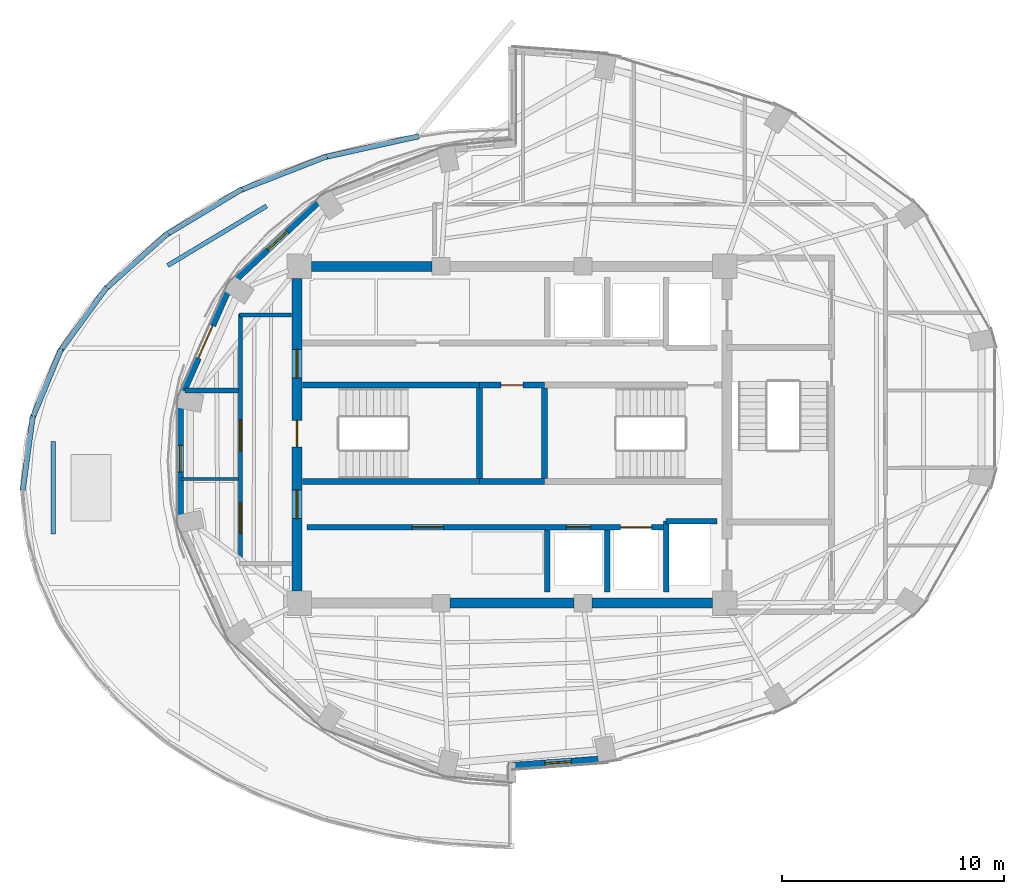
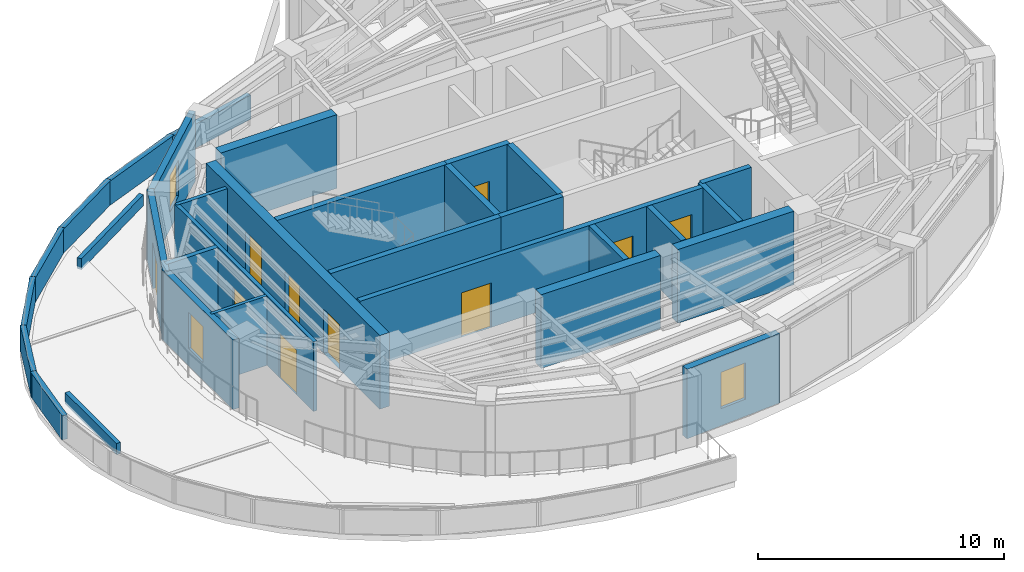
# One storey, part 9 of 15: 32 walls, 10 doors, 3 windows, 13 openings.
"""IFC4 building model written with IfcOpenShell, lengths in metres."""

import ifcopenshell
import ifcopenshell.guid

model = None  # the IFC model being written
_history = None  # IfcOwnerHistory: only IFC2X3 demands one
_inside = {}  # id of a spatial element -> (the spatial element, [elements in it])
_under = {}  # id of a project, library or spatial element -> (it, [spatial elements below it])
_declared = {}  # id of a project -> (the project, [libraries it declares])
_typed = {}  # id of a type object -> (the type object, [elements of that type])
_made_of = {}  # id of a material, layer set ... -> (it, [elements and type objects made of it])


def new_model(schema):
    """Start an empty IFC model of exactly this schema.

    Asked for "IFC4X3", IfcOpenShell would pick the latest addendum, in which some entities
    have other attributes; the version numbers below select the first issue.
    IFC2X3 requires an IfcOwnerHistory on every rooted entity: one is made here for all.
    """
    global model, _history
    if schema == "IFC4X3":
        model = ifcopenshell.file(schema_version=(4, 3, 0, 0))
    else:
        model = ifcopenshell.file(schema=schema)
    _inside.clear()
    _under.clear()
    _declared.clear()
    _typed.clear()
    _made_of.clear()
    _history = None
    if model.schema == "IFC2X3":
        org = make("IfcOrganization", Name="unknown")
        user = make(
            "IfcPersonAndOrganization",
            ThePerson=make("IfcPerson", FamilyName="unknown"),
            TheOrganization=org,
        )
        app = make(
            "IfcApplication",
            ApplicationDeveloper=org,
            Version="unknown",
            ApplicationFullName="unknown",
            ApplicationIdentifier="unknown",
        )
        _history = make(
            "IfcOwnerHistory",
            OwningUser=user,
            OwningApplication=app,
            ChangeAction="ADDED",
            CreationDate=0,
        )
    return model


def make(cls, **values):
    """One entity of the class cls with the attributes given. An attribute that is None is left unset."""
    return model.create_entity(
        cls, **{name: value for name, value in values.items() if value is not None}
    )


def rooted(cls, **values):
    """An entity with a GlobalId (a new one), such as an element, a storey or a relation."""
    return make(cls, GlobalId=ifcopenshell.guid.new(), OwnerHistory=_history, **values)


def si_unit(unit_type, name, prefix=None):
    """IfcSIUnit, for example si_unit("LENGTHUNIT", "METRE", prefix="MILLI")."""
    return make("IfcSIUnit", UnitType=unit_type, Prefix=prefix, Name=name)


def assignment(units):
    """IfcUnitAssignment: the units of a project."""
    return None if units is None else make("IfcUnitAssignment", Units=units)


def point(xyz):
    """IfcCartesianPoint."""
    return None if xyz is None else make("IfcCartesianPoint", Coordinates=xyz)


def direction(xyz):
    """IfcDirection."""
    return None if xyz is None else make("IfcDirection", DirectionRatios=xyz)


def frame(location, z_axis=None, x_axis=None):
    """IfcAxis2Placement3D, a coordinate frame: its origin and axes. An axis left out is left unset."""
    return make(
        "IfcAxis2Placement3D",
        Location=point(location),
        Axis=direction(z_axis),
        RefDirection=direction(x_axis),
    )


def frame_2d(location, x_axis=None):
    """IfcAxis2Placement2D, a coordinate frame in the plane: its origin and x axis."""
    return make(
        "IfcAxis2Placement2D", Location=point(location), RefDirection=direction(x_axis)
    )


def origin():
    """The frame at (0, 0, 0) with its axes left unset."""
    return frame((0.0, 0.0, 0.0))


def place(relative_to, where):
    """IfcLocalPlacement: puts the frame where relative to a parent placement (None: the world)."""
    return make(
        "IfcLocalPlacement", PlacementRelTo=relative_to, RelativePlacement=where
    )


def context(
    kind, dimensions, precision=None, world=None, true_north=None, identifier=None
):
    """IfcGeometricRepresentationContext, for example the 3D "Model" context."""
    return make(
        "IfcGeometricRepresentationContext",
        ContextIdentifier=identifier,
        ContextType=kind,
        CoordinateSpaceDimension=dimensions,
        Precision=precision,
        WorldCoordinateSystem=world,
        TrueNorth=true_north,
    )


def subcontext(parent, identifier, kind, view, scale=None):
    """IfcGeometricRepresentationSubContext, for example "Body" below "Model"."""
    return make(
        "IfcGeometricRepresentationSubContext",
        ContextIdentifier=identifier,
        ContextType=kind,
        ParentContext=parent,
        TargetScale=scale,
        TargetView=view,
    )


def project(units=None, contexts=None):
    """IfcProject with its units and contexts."""
    return rooted(
        "IfcProject",
        Name="project",
        RepresentationContexts=contexts,
        UnitsInContext=assignment(units),
    )


def spatial(cls, under=None, at=None, **own):
    """A site, building, storey or space (cls), placed at a placement, below another one or the project."""
    s = rooted(cls, ObjectPlacement=at, **own)
    if under is not None:
        _under.setdefault(under.id(), (under, []))[1].append(s)
    return s


def profile(cls, at=None, kind="AREA", **sizes):
    """A parametric profile (cls). Its sizes go by their IFC names, for example OverallWidth=200.0."""
    return make(cls, ProfileType=kind, Position=at, **sizes)


def rectangle(**sizes):
    """IfcRectangleProfileDef."""
    return profile("IfcRectangleProfileDef", **sizes)


def extrude(swept, where, along, depth):
    """IfcExtrudedAreaSolid: the profile swept, set in the frame where, extruded along a direction by depth."""
    return make(
        "IfcExtrudedAreaSolid",
        SweptArea=swept,
        Position=where,
        ExtrudedDirection=direction(along),
        Depth=depth,
    )


def shape(context_of_items, identifier, shape_type, items):
    """IfcShapeRepresentation: the items that make up one representation, for example the "Body"."""
    return make(
        "IfcShapeRepresentation",
        ContextOfItems=context_of_items,
        RepresentationIdentifier=identifier,
        RepresentationType=shape_type,
        Items=items,
    )


def material(Name=None, Category=None):
    """IfcMaterial."""
    return make("IfcMaterial", Name=Name, Category=Category)


def layer(
    of_material, thickness, ventilated=None, Name=None, Category=None, Priority=None
):
    """IfcMaterialLayer: one layer of a wall or slab, of a material (None: an air gap)."""
    return make(
        "IfcMaterialLayer",
        Material=of_material,
        LayerThickness=thickness,
        IsVentilated=ventilated,
        Name=Name,
        Category=Category,
        Priority=Priority,
    )


def layer_set(layers, Name=None):
    """IfcMaterialLayerSet."""
    return make("IfcMaterialLayerSet", MaterialLayers=layers, LayerSetName=Name)


def made_of(thing, what):
    """Note that an element or type object is made of a material, layer set ...; save() writes the relation."""
    if what is not None:
        _made_of.setdefault(what.id(), (what, []))[1].append(thing)
    return thing


def type_object(cls, material=None, **own):
    """A type object (cls), such as IfcWallType, which elements share."""
    return made_of(rooted(cls, **own), material)


def element(
    cls,
    number,
    at=None,
    inside=None,
    cuts=None,
    type_object=None,
    material=None,
    context=None,
    identifier="Body",
    shape_type=None,
    held_by="IfcProductDefinitionShape",
    body=None,
    shapes=None,
    **own,
):
    """One element of the class cls, such as IfcWall. Its Tag is "e" and its number.

    at: its placement. inside: the storey or other place that contains it. cuts: it is an
    opening in that element (IfcRelVoidsElement). A single representation is given by context,
    identifier, shape_type and body (its items); several are given by shapes. held_by: the class
    of the entity that holds the representations. save() writes the other relations.
    """
    e = rooted(cls, Tag="e%d" % number, ObjectPlacement=at, **own)
    if body is not None:
        shapes = [shape(context, identifier, shape_type, body)]
    if shapes is not None:
        e.Representation = make(held_by, Representations=shapes)
    if inside is not None:
        _inside.setdefault(inside.id(), (inside, []))[1].append(e)
    if cuts is not None:
        rooted(
            "IfcRelVoidsElement", RelatingBuildingElement=cuts, RelatedOpeningElement=e
        )
    if type_object is not None:
        _typed.setdefault(type_object.id(), (type_object, []))[1].append(e)
    return made_of(e, material)


def fill(opening, filler):
    """IfcRelFillsElement: the door or window that sits in an opening."""
    return rooted(
        "IfcRelFillsElement",
        RelatingOpeningElement=opening,
        RelatedBuildingElement=filler,
    )


def aggregate(whole, parts):
    """IfcRelAggregates: a whole, such as a stair, and the parts it consists of."""
    return rooted("IfcRelAggregates", RelatingObject=whole, RelatedObjects=parts)


def save(model, path):
    """Write the relations noted so far, then the file.

    IfcRelAggregates (storeys below a building ...), IfcRelContainedInSpatialStructure (elements
    in a storey), IfcRelDefinesByType, IfcRelAssociatesMaterial and IfcRelDeclares: one each for
    every whole, place, type object, material and project.
    """
    for whole, parts in _under.values():
        aggregate(whole, parts)
    for where, things in _inside.values():
        rooted(
            "IfcRelContainedInSpatialStructure",
            RelatedElements=things,
            RelatingStructure=where,
        )
    for kind, things in _typed.values():
        rooted("IfcRelDefinesByType", RelatedObjects=things, RelatingType=kind)
    for what, things in _made_of.values():
        rooted("IfcRelAssociatesMaterial", RelatedObjects=things, RelatingMaterial=what)
    for by, libraries in _declared.values():
        rooted("IfcRelDeclares", RelatingContext=by, RelatedDefinitions=libraries)
    model.write(path)


model = new_model("IFC4")

# Units and contexts
model_context = context("Model", 3, precision=1e-05, world=origin(), true_north=direction((0.0, 1.0)))
body_context = subcontext(model_context, "Body", "Model", "MODEL_VIEW")
ifc_project = project(units=[si_unit("LENGTHUNIT", "METRE"), si_unit("AREAUNIT", "SQUARE_METRE"), si_unit("VOLUMEUNIT", "CUBIC_METRE"), si_unit("PLANEANGLEUNIT", "RADIAN"), si_unit("MASSUNIT", "GRAM", prefix="KILO")], contexts=[model_context])

# Site, building, storey
site_placement = place(None, origin())
site = spatial("IfcSite", under=ifc_project, at=site_placement, CompositionType="ELEMENT")
building_placement = place(site_placement, origin())
building = spatial("IfcBuilding", under=site, at=building_placement, Name="Lazwardi Medical Tower", CompositionType="ELEMENT")
storey_placement = place(building_placement, frame((0.0, 0.0, 269.615966796875)))
storey = spatial("IfcBuildingStorey", under=building, at=storey_placement, Name="L70", CompositionType="ELEMENT", Elevation=269.615966796875)

# Wall, openings, doors
ifc_material_1 = material(Name="Fire-rated gypsum board on steel stud", Category="steel")
ifc_layer_1 = layer(ifc_material_1, 0.179931640625)
ifc_layer_set_1 = layer_set([ifc_layer_1], Name="Fire-rated gypsum board on steel stud")
wall_type_1 = type_object("IfcWallType", Name="WL-COR-180", PredefinedType="PARTITIONING", material=ifc_layer_set_1)
wall_1_placement = place(storey_placement, frame((23.75, 22.159912109375, 0.0), z_axis=(0.0, 0.0, 1.0), x_axis=(0.0, 1.0, 0.0)))
wall_1 = element("IfcWall", 1, at=wall_1_placement, inside=storey, type_object=wall_type_1, Name="L70 Corridor partition 8", PredefinedType="PARTITIONING", context=body_context, shape_type="SweptSolid", body=[
    extrude(rectangle(XDim=11.280029296875, YDim=0.179931640625, at=frame_2d((5.64013671875, 0.0))), origin(), (0.0, 0.0, 1.0), 3.447998046875),
])
opening_1_placement = place(wall_1_placement, frame((5.12255859375, 0.0, 0.0)))
opening_1 = element("IfcOpeningElement", 2, at=opening_1_placement, cuts=wall_1, Name="Opening D-L70-008", PredefinedType="OPENING", context=body_context, shape_type="SweptSolid", body=[
    extrude(rectangle(XDim=1.39990234375, YDim=2.199951171875, at=frame_2d((0.699951171875, 1.10009765625))), frame((0.0, 0.099853515625, 0.0), z_axis=(0.0, -1.0, 0.0), x_axis=(1.0, 0.0, 0.0)), (0.0, 0.0, 1.0), 0.199951171875),
])
opening_2_placement = place(wall_1_placement, frame((1.37890625, 0.0, 0.0)))
opening_2 = element("IfcOpeningElement", 3, at=opening_2_placement, cuts=wall_1, Name="Opening D-L70-009", PredefinedType="OPENING", context=body_context, shape_type="SweptSolid", body=[
    extrude(rectangle(XDim=1.39990234375, YDim=2.199951171875, at=frame_2d((0.699951171875, 1.10009765625))), frame((0.0, 0.099853515625, 0.0), z_axis=(0.0, -1.0, 0.0), x_axis=(1.0, 0.0, 0.0)), (0.0, 0.0, 1.0), 0.199951171875),
])
ifc_material_2 = material(Name="Anti-microbial laminate hospital leaf")
door_type_1 = type_object("IfcDoorType", Name="DR-BED-1400", OperationType="NOTDEFINED", PredefinedType="DOOR", material=ifc_material_2)
door_1_placement = place(opening_1_placement, origin())
door_1 = element("IfcDoor", 4, at=door_1_placement, inside=storey, type_object=door_type_1, Name="L70 Sky Garden Lounge Door 01", OperationType="SINGLE_SWING_RIGHT", OverallHeight=2.199951171875, OverallWidth=1.39990234375, PredefinedType="DOOR", context=body_context, shape_type="SweptSolid", body=[
    extrude(rectangle(XDim=1.39990234375, YDim=2.199951171875, at=frame_2d((0.699951171875, 1.10009765625))), frame((0.0, 0.02490234375, 0.0), z_axis=(0.0, -1.0, 0.0), x_axis=(1.0, 0.0, 0.0)), (0.0, 0.0, 1.0), 0.050048828125),
])
fill(opening_1, door_1)
door_2_placement = place(opening_2_placement, origin())
door_2 = element("IfcDoor", 5, at=door_2_placement, inside=storey, type_object=door_type_1, Name="L70 Sky Garden Lounge Door 02", OperationType="SINGLE_SWING_LEFT", OverallHeight=2.199951171875, OverallWidth=1.39990234375, PredefinedType="DOOR", context=body_context, shape_type="SweptSolid", body=[
    extrude(rectangle(XDim=1.39990234375, YDim=2.199951171875, at=frame_2d((0.699951171875, 1.10009765625))), frame((0.0, 0.02490234375, 0.0), z_axis=(0.0, -1.0, 0.0), x_axis=(1.0, 0.0, 0.0)), (0.0, 0.0, 1.0), 0.050048828125),
])
fill(opening_2, door_2)

# Wall
wall_2_placement = place(storey_placement, frame((23.7099609375, 33.39990234375, 0.0), z_axis=(0.0, 0.0, 1.0), x_axis=(1.0, 0.0, 0.0)))
element("IfcWall", 6, at=wall_2_placement, inside=storey, type_object=wall_type_1, Name="L70 Corridor partition 9", PredefinedType="PARTITIONING", context=body_context, shape_type="SweptSolid", body=[
    extrude(rectangle(XDim=2.35009765625, YDim=0.179931640625, at=frame_2d((1.175048828125, 0.0))), origin(), (0.0, 0.0, 1.0), 3.447998046875),
])

# Wall, openings, doors
ifc_material_3 = material(Name="Concrete C60/75", Category="concrete")
ifc_layer_2 = layer(ifc_material_3, 0.449951171875)
ifc_layer_set_2 = layer_set([ifc_layer_2], Name="Concrete C60/75")
wall_type_2 = type_object("IfcWallType", Name="WL-CORE-450", PredefinedType="SHEAR", material=ifc_layer_set_2)
wall_3_placement = place(storey_placement, frame((26.300048828125, 20.949951171875, 0.0), z_axis=(0.0, 0.0, 1.0), x_axis=(0.0, 1.0, 0.0)))
wall_3 = element("IfcWall", 7, at=wall_3_placement, inside=storey, type_object=wall_type_2, Name="Core wall CW-S4 west L70", PredefinedType="SHEAR", context=body_context, shape_type="SweptSolid", body=[
    extrude(rectangle(XDim=14.10009765625, YDim=0.449951171875, at=frame_2d((7.050048828125, 0.0))), origin(), (0.0, 0.0, 1.0), 3.64794921875),
])
opening_3_placement = place(wall_3_placement, frame((6.5, 0.0, 0.0)))
opening_3 = element("IfcOpeningElement", 8, at=opening_3_placement, cuts=wall_3, Name="Opening D-L70-017", PredefinedType="OPENING", context=body_context, shape_type="SweptSolid", body=[
    extrude(rectangle(XDim=1.199951171875, YDim=2.14990234375, at=frame_2d((0.60009765625, 1.074951171875))), frame((0.0, 0.23486328125, 0.0), z_axis=(0.0, -1.0, 0.0), x_axis=(1.0, 0.0, 0.0)), (0.0, 0.0, 1.0), 0.469970703125),
])
opening_4_placement = place(wall_3_placement, frame((9.60009765625, 0.0, 0.0)))
opening_4 = element("IfcOpeningElement", 9, at=opening_4_placement, cuts=wall_3, Name="Opening D-L70-006", PredefinedType="OPENING", context=body_context, shape_type="SweptSolid", body=[
    extrude(rectangle(XDim=1.300048828125, YDim=2.199951171875, at=frame_2d((0.64990234375, 1.10009765625))), frame((0.0, 0.23486328125, 0.0), z_axis=(0.0, -1.0, 0.0), x_axis=(1.0, 0.0, 0.0)), (0.0, 0.0, 1.0), 0.469970703125),
])
opening_5_placement = place(wall_3_placement, frame((3.260009765625, 0.0, 0.0)))
opening_5 = element("IfcOpeningElement", 10, at=opening_5_placement, cuts=wall_3, Name="Opening D-L70-007", PredefinedType="OPENING", context=body_context, shape_type="SweptSolid", body=[
    extrude(rectangle(XDim=1.300048828125, YDim=2.199951171875, at=frame_2d((0.64990234375, 1.10009765625))), frame((0.0, 0.23486328125, 0.0), z_axis=(0.0, -1.0, 0.0), x_axis=(1.0, 0.0, 0.0)), (0.0, 0.0, 1.0), 0.469970703125),
])
ifc_material_4 = material(Name="Fire-rated steel leaf and frame", Category="steel")
door_type_2 = type_object("IfcDoorType", Name="DR-FFL-1300", OperationType="NOTDEFINED", PredefinedType="DOOR", material=ifc_material_4)
door_3_placement = place(opening_4_placement, origin())
door_3 = element("IfcDoor", 11, at=door_3_placement, inside=storey, type_object=door_type_2, Name="L70 North Lift Lobby Door", OperationType="SINGLE_SWING_LEFT", OverallHeight=2.199951171875, OverallWidth=1.300048828125, PredefinedType="DOOR", context=body_context, shape_type="SweptSolid", body=[
    extrude(rectangle(XDim=1.300048828125, YDim=2.199951171875, at=frame_2d((0.64990234375, 1.10009765625))), frame((0.0, 0.02490234375, 0.0), z_axis=(0.0, -1.0, 0.0), x_axis=(1.0, 0.0, 0.0)), (0.0, 0.0, 1.0), 0.050048828125),
])
fill(opening_4, door_3)
door_4_placement = place(opening_5_placement, origin())
door_4 = element("IfcDoor", 12, at=door_4_placement, inside=storey, type_object=door_type_2, Name="L70 South Lift Lobby Door", OperationType="SINGLE_SWING_RIGHT", OverallHeight=2.199951171875, OverallWidth=1.300048828125, PredefinedType="DOOR", context=body_context, shape_type="SweptSolid", body=[
    extrude(rectangle(XDim=1.300048828125, YDim=2.199951171875, at=frame_2d((0.64990234375, 1.10009765625))), frame((0.0, 0.02490234375, 0.0), z_axis=(0.0, -1.0, 0.0), x_axis=(1.0, 0.0, 0.0)), (0.0, 0.0, 1.0), 0.050048828125),
])
fill(opening_5, door_4)
door_type_3 = type_object("IfcDoorType", Name="DR-STR-1200", OperationType="NOTDEFINED", PredefinedType="DOOR", material=ifc_material_4)
door_5_placement = place(opening_3_placement, origin())
door_5 = element("IfcDoor", 13, at=door_5_placement, inside=storey, type_object=door_type_3, Name="L70 Exit Stair ST1 Door", OperationType="SINGLE_SWING_RIGHT", OverallHeight=2.14990234375, OverallWidth=1.199951171875, PredefinedType="DOOR", context=body_context, shape_type="SweptSolid", body=[
    extrude(rectangle(XDim=1.199951171875, YDim=2.14990234375, at=frame_2d((0.60009765625, 1.074951171875))), frame((0.0, 0.02490234375, 0.0), z_axis=(0.0, -1.0, 0.0), x_axis=(1.0, 0.0, 0.0)), (0.0, 0.0, 1.0), 0.050048828125),
])
fill(opening_3, door_5)

# Walls
wall_4_placement = place(storey_placement, frame((26.949951171875, 35.60009765625, 0.0), z_axis=(0.0, 0.0, 1.0), x_axis=(1.0, 0.0, 0.0)))
element("IfcWall", 14, at=wall_4_placement, inside=storey, type_object=wall_type_2, Name="Core wall CW-S4 N1 L70", PredefinedType="SHEAR", context=body_context, shape_type="SweptSolid", body=[
    extrude(rectangle(XDim=5.449951171875, YDim=0.449951171875, at=frame_2d((2.72509765625, 0.0))), origin(), (0.0, 0.0, 1.0), 3.64794921875),
])
wall_5_placement = place(storey_placement, frame((33.199951171875, 20.39990234375, 0.0), z_axis=(0.0, 0.0, 1.0), x_axis=(1.0, 0.0, 0.0)))
element("IfcWall", 15, at=wall_5_placement, inside=storey, type_object=wall_type_2, Name="Core wall CW-S4 S2 L70", PredefinedType="SHEAR", context=body_context, shape_type="SweptSolid", body=[
    extrude(rectangle(XDim=5.60009765625, YDim=0.449951171875, at=frame_2d((2.800048828125, 0.0))), origin(), (0.0, 0.0, 1.0), 3.64794921875),
])
wall_6_placement = place(storey_placement, frame((39.60009765625, 20.39990234375, 0.0), z_axis=(0.0, 0.0, 1.0), x_axis=(1.0, 0.0, 0.0)))
element("IfcWall", 16, at=wall_6_placement, inside=storey, type_object=wall_type_2, Name="Core wall CW-S4 S3 L70", PredefinedType="SHEAR", context=body_context, shape_type="SweptSolid", body=[
    extrude(rectangle(XDim=5.449951171875, YDim=0.449951171875, at=frame_2d((2.72509765625, 0.0))), origin(), (0.0, 0.0, 1.0), 3.64794921875),
])

# Wall, opening, window
ifc_material_5 = material(Name="Precast concrete C45/55", Category="concrete")
ifc_layer_3 = layer(ifc_material_5, 0.280029296875)
ifc_layer_set_3 = layer_set([ifc_layer_3], Name="Precast concrete C45/55")
wall_type_3 = type_object("IfcWallType", Name="WL-DRUM-280", PredefinedType="SOLIDWALL", material=ifc_layer_set_3)
wall_7_placement = place(storey_placement, frame((27.5947265625, 38.808349609375, 0.0), z_axis=(0.0, 0.0, 1.0), x_axis=(-0.728251519923, -0.685309947199, 0.0)))
wall_7 = element("IfcWall", 17, at=wall_7_placement, inside=storey, type_object=wall_type_3, Name="L70 West Drum Precast Wall 2", PredefinedType="SOLIDWALL", context=body_context, shape_type="SweptSolid", body=[
    extrude(rectangle(XDim=5.98095703125, YDim=0.280029296875, at=frame_2d((2.990478515625, 0.0))), origin(), (0.0, 0.0, 1.0), 3.447998046875),
])
opening_6_placement = place(wall_7_placement, frame((2.390625, 0.0, 0.85009765625)))
opening_6 = element("IfcOpeningElement", 18, at=opening_6_placement, cuts=wall_7, Name="Opening WN-04", PredefinedType="OPENING", context=body_context, shape_type="SweptSolid", body=[
    extrude(rectangle(XDim=1.199951171875, YDim=1.800048828125, at=frame_2d((0.60009765625, 0.89990234375))), frame((0.0, 0.14990234375, 0.0), z_axis=(0.0, -1.0, 0.0), x_axis=(1.0, 0.0, 0.0)), (0.0, 0.0, 1.0), 0.300048828125),
])
ifc_material_6 = material(Name="Low-e bronze solar control double glazing", Category="glass")
window_type = type_object("IfcWindowType", Name="WIN-DRUM-1200", PartitioningType="SINGLE_PANEL", PredefinedType="WINDOW", material=ifc_material_6)
window_1_placement = place(opening_6_placement, origin())
window_1 = element("IfcWindow", 19, at=window_1_placement, inside=storey, type_object=window_type, Name="L70 West Drum Window 2", OverallHeight=1.800048828125, OverallWidth=1.199951171875, PartitioningType="SINGLE_PANEL", PredefinedType="WINDOW", context=body_context, shape_type="SweptSolid", body=[
    extrude(rectangle(XDim=1.199951171875, YDim=1.800048828125, at=frame_2d((0.60009765625, 0.89990234375))), frame((0.0, 0.030029296875, 0.0), z_axis=(0.0, -1.0, 0.0), x_axis=(1.0, 0.0, 0.0)), (0.0, 0.0, 1.0), 0.06005859375),
])
fill(opening_6, window_1)

# Wall, opening, door
wall_8_placement = place(storey_placement, frame((23.35205078125, 34.869384765625, 0.0), z_axis=(0.0, 0.0, 1.0), x_axis=(-0.402882523888, -0.915251698685, 0.0)))
wall_8 = element("IfcWall", 20, at=wall_8_placement, inside=storey, type_object=wall_type_3, Name="L70 West Drum Precast Wall 3", PredefinedType="SOLIDWALL", context=body_context, shape_type="SweptSolid", body=[
    extrude(rectangle(XDim=5.855712890625, YDim=0.280029296875, at=frame_2d((2.927734375, 0.0))), origin(), (0.0, 0.0, 1.0), 3.447998046875),
])
opening_7_placement = place(wall_8_placement, frame((2.1279296875, 0.0, 0.0)))
opening_7 = element("IfcOpeningElement", 21, at=opening_7_placement, cuts=wall_8, Name="Opening D-L70-020", PredefinedType="OPENING", context=body_context, shape_type="SweptSolid", body=[
    extrude(rectangle(XDim=1.60009765625, YDim=2.300048828125, at=frame_2d((0.800048828125, 1.14990234375))), frame((0.0, 0.14990234375, 0.0), z_axis=(0.0, -1.0, 0.0), x_axis=(1.0, 0.0, 0.0)), (0.0, 0.0, 1.0), 0.300048828125),
])
ifc_material_7 = material(Name="Anodised bronze aluminium and laminated glass", Category="aluminium")
door_type_4 = type_object("IfcDoorType", Name="DR-SKG-1600", OperationType="NOTDEFINED", PredefinedType="DOOR", material=ifc_material_7)
door_6_placement = place(opening_7_placement, origin())
door_6 = element("IfcDoor", 22, at=door_6_placement, inside=storey, type_object=door_type_4, Name="L70 West Roof Garden Terrace Door 2", OperationType="DOUBLE_DOOR_SINGLE_SWING", OverallHeight=2.300048828125, OverallWidth=1.60009765625, PredefinedType="DOOR", context=body_context, shape_type="SweptSolid", body=[
    extrude(rectangle(XDim=1.60009765625, YDim=2.300048828125, at=frame_2d((0.800048828125, 1.14990234375))), frame((0.0, 0.02490234375, 0.0), z_axis=(0.0, -1.0, 0.0), x_axis=(1.0, 0.0, 0.0)), (0.0, 0.0, 1.0), 0.050048828125),
])
fill(opening_7, door_6)

# Wall, opening, window
wall_9_placement = place(storey_placement, frame((21.033203125, 29.701416015625, 0.0), z_axis=(0.0, 0.0, 1.0), x_axis=(0.0, -1.0, 0.0)))
wall_9 = element("IfcWall", 23, at=wall_9_placement, inside=storey, type_object=wall_type_3, Name="L70 West Drum Precast Wall 4", PredefinedType="SOLIDWALL", context=body_context, shape_type="SweptSolid", body=[
    extrude(rectangle(XDim=5.802978515625, YDim=0.280029296875, at=frame_2d((2.9013671875, 0.0))), origin(), (0.0, 0.0, 1.0), 3.447998046875),
])
opening_8_placement = place(wall_9_placement, frame((2.1865234375, 0.0, 0.85009765625)))
opening_8 = element("IfcOpeningElement", 24, at=opening_8_placement, cuts=wall_9, Name="Opening WN-04", PredefinedType="OPENING", context=body_context, shape_type="SweptSolid", body=[
    extrude(rectangle(XDim=1.199951171875, YDim=1.800048828125, at=frame_2d((0.60009765625, 0.89990234375))), frame((0.0, 0.14990234375, 0.0), z_axis=(0.0, -1.0, 0.0), x_axis=(1.0, 0.0, 0.0)), (0.0, 0.0, 1.0), 0.300048828125),
])
window_2_placement = place(opening_8_placement, origin())
window_2 = element("IfcWindow", 25, at=window_2_placement, inside=storey, type_object=window_type, Name="L70 West Drum Window 4", OverallHeight=1.800048828125, OverallWidth=1.199951171875, PartitioningType="SINGLE_PANEL", PredefinedType="WINDOW", context=body_context, shape_type="SweptSolid", body=[
    extrude(rectangle(XDim=1.199951171875, YDim=1.800048828125, at=frame_2d((0.60009765625, 0.89990234375))), frame((0.0, 0.030029296875, 0.0), z_axis=(0.0, -1.0, 0.0), x_axis=(1.0, 0.0, 0.0)), (0.0, 0.0, 1.0), 0.06005859375),
])
fill(opening_8, window_2)

ifc_layer_4 = layer(ifc_material_5, 0.320068359375)
ifc_layer_set_4 = layer_set([ifc_layer_4], Name="Precast concrete C45/55")
wall_type_4 = type_object("IfcWallType", Name="WL-IWAN-320", PredefinedType="SOLIDWALL", material=ifc_layer_set_4)
wall_10_placement = place(storey_placement, frame((35.820556640625, 13.047119140625, 0.0), z_axis=(0.0, 0.0, 1.0), x_axis=(0.997409061056, 0.071938619141, 0.0)))
wall_10 = element("IfcWall", 26, at=wall_10_placement, inside=storey, type_object=wall_type_4, Name="L70 Iwan Portal Return Wall SE_ret", PredefinedType="SOLIDWALL", context=body_context, shape_type="SweptSolid", body=[
    extrude(rectangle(XDim=4.540771484375, YDim=0.320068359375, at=frame_2d((2.2705078125, 0.0))), origin(), (0.0, 0.0, 1.0), 3.447998046875),
])
opening_9_placement = place(wall_10_placement, frame((1.67041015625, 0.0, 0.85009765625)))
opening_9 = element("IfcOpeningElement", 27, at=opening_9_placement, cuts=wall_10, Name="Opening WN-04", PredefinedType="OPENING", context=body_context, shape_type="SweptSolid", body=[
    extrude(rectangle(XDim=1.199951171875, YDim=1.800048828125, at=frame_2d((0.60009765625, 0.89990234375))), frame((0.0, 0.169921875, 0.0), z_axis=(0.0, -1.0, 0.0), x_axis=(1.0, 0.0, 0.0)), (0.0, 0.0, 1.0), 0.340087890625),
])
window_3_placement = place(opening_9_placement, origin())
window_3 = element("IfcWindow", 28, at=window_3_placement, inside=storey, type_object=window_type, Name="L70 Iwan Slot Window SE_ret", OverallHeight=1.800048828125, OverallWidth=1.199951171875, PartitioningType="SINGLE_PANEL", PredefinedType="WINDOW", context=body_context, shape_type="SweptSolid", body=[
    extrude(rectangle(XDim=1.199951171875, YDim=1.800048828125, at=frame_2d((0.60009765625, 0.89990234375))), frame((0.0, 0.030029296875, 0.0), z_axis=(0.0, -1.0, 0.0), x_axis=(1.0, 0.0, 0.0)), (0.0, 0.0, 1.0), 0.06005859375),
])
fill(opening_9, window_3)

# Walls
ifc_layer_5 = layer(ifc_material_5, 0.239990234375)
ifc_layer_set_5 = layer_set([ifc_layer_5], Name="Precast concrete C45/55")
wall_type_5 = type_object("IfcWallType", Name="WL-PAR-240", PredefinedType="PARAPET", material=ifc_layer_set_5)
wall_11_placement = place(storey_placement, frame((31.7939453125, 41.47119140625, 0.0), z_axis=(0.0, 0.0, 1.0), x_axis=(-0.97619223607, -0.216907165018, 0.0)))
element("IfcWall", 29, at=wall_11_placement, inside=storey, type_object=wall_type_5, Name="L70 West Terrace Parapet 02", PredefinedType="PARAPET", context=body_context, shape_type="SweptSolid", body=[
    extrude(rectangle(XDim=4.439208984375, YDim=0.239990234375, at=frame_2d((2.2197265625, 0.0))), origin(), (0.0, 0.0, 1.0), 1.199951171875),
])
wall_12_placement = place(storey_placement, frame((27.651123046875, 40.56640625, 0.0), z_axis=(0.0, 0.0, 1.0), x_axis=(-0.931156390878, -0.364620042958, 0.0)))
element("IfcWall", 30, at=wall_12_placement, inside=storey, type_object=wall_type_5, Name="L70 West Terrace Parapet 03", PredefinedType="PARAPET", context=body_context, shape_type="SweptSolid", body=[
    extrude(rectangle(XDim=4.2958984375, YDim=0.239990234375, at=frame_2d((2.14794921875, 0.0))), origin(), (0.0, 0.0, 1.0), 1.199951171875),
])
wall_13_placement = place(storey_placement, frame((23.829833984375, 39.087890625, 0.0), z_axis=(0.0, 0.0, 1.0), x_axis=(-0.857072360175, -0.515196049503, 0.0)))
element("IfcWall", 31, at=wall_13_placement, inside=storey, type_object=wall_type_5, Name="L70 West Terrace Parapet 04", PredefinedType="PARAPET", context=body_context, shape_type="SweptSolid", body=[
    extrude(rectangle(XDim=4.1005859375, YDim=0.239990234375, at=frame_2d((2.05029296875, 0.0))), origin(), (0.0, 0.0, 1.0), 1.199951171875),
])
wall_14_placement = place(storey_placement, frame((20.475830078125, 37.093505859375, 0.0), z_axis=(0.0, 0.0, 1.0), x_axis=(-0.746018095031, -0.665925672944, 0.0)))
element("IfcWall", 32, at=wall_14_placement, inside=storey, type_object=wall_type_5, Name="L70 West Terrace Parapet 05", PredefinedType="PARAPET", context=body_context, shape_type="SweptSolid", body=[
    extrude(rectangle(XDim=3.87744140625, YDim=0.239990234375, at=frame_2d((1.938720703125, 0.0))), origin(), (0.0, 0.0, 1.0), 1.199951171875),
])
wall_15_placement = place(storey_placement, frame((17.716796875, 34.65869140625, 0.0), z_axis=(0.0, 0.0, 1.0), x_axis=(-0.589452593438, -0.807802971082, 0.0)))
element("IfcWall", 33, at=wall_15_placement, inside=storey, type_object=wall_type_5, Name="L70 West Terrace Parapet 06", PredefinedType="PARAPET", context=body_context, shape_type="SweptSolid", body=[
    extrude(rectangle(XDim=3.658447265625, YDim=0.239990234375, at=frame_2d((1.8291015625, 0.0))), origin(), (0.0, 0.0, 1.0), 1.199951171875),
])
wall_16_placement = place(storey_placement, frame((15.657470703125, 31.876708984375, 0.0), z_axis=(0.0, 0.0, 1.0), x_axis=(-0.382572716931, -0.923925384574, 0.0)))
element("IfcWall", 34, at=wall_16_placement, inside=storey, type_object=wall_type_5, Name="L70 West Terrace Parapet 07", PredefinedType="PARAPET", context=body_context, shape_type="SweptSolid", body=[
    extrude(rectangle(XDim=3.481201171875, YDim=0.239990234375, at=frame_2d((1.74072265625, 0.0))), origin(), (0.0, 0.0, 1.0), 1.199951171875),
])
wall_17_placement = place(storey_placement, frame((14.377197265625, 28.851806640625, 0.0), z_axis=(0.0, 0.0, 1.0), x_axis=(-0.133227877682, -0.991085431539, 0.0)))
element("IfcWall", 35, at=wall_17_placement, inside=storey, type_object=wall_type_5, Name="L70 West Terrace Parapet 08", PredefinedType="PARAPET", context=body_context, shape_type="SweptSolid", body=[
    extrude(rectangle(XDim=3.380859375, YDim=0.239990234375, at=frame_2d((1.6904296875, 0.0))), origin(), (0.0, 0.0, 1.0), 1.199951171875),
])
ifc_material_8 = material(Name="Precast concrete C40/50", Category="concrete")
ifc_layer_6 = layer(ifc_material_8, 0.199951171875)
ifc_layer_set_6 = layer_set([ifc_layer_6], Name="Precast concrete C40/50")
wall_type_6 = type_object("IfcWallType", Name="WL-PLN-200", PredefinedType="PARAPET", material=ifc_layer_set_6)
wall_18_placement = place(storey_placement, frame((24.9248046875, 38.32080078125, 0.0), z_axis=(0.0, 0.0, 1.0), x_axis=(-0.856651190981, -0.515896052506, 0.0)))
element("IfcWall", 36, at=wall_18_placement, inside=storey, type_object=wall_type_6, Name="L70 West Terrace Planter 1", PredefinedType="PARAPET", context=body_context, shape_type="SweptSolid", body=[
    extrude(rectangle(XDim=5.202392578125, YDim=0.199951171875, at=frame_2d((2.60107421875, 0.0))), origin(), (0.0, 0.0, 1.0), 0.550048828125),
])
wall_19_placement = place(storey_placement, frame((15.303466796875, 27.6875, 0.0), z_axis=(0.0, 0.0, 1.0), x_axis=(0.0, -1.0, 0.0)))
element("IfcWall", 37, at=wall_19_placement, inside=storey, type_object=wall_type_6, Name="L70 West Terrace Planter 2", PredefinedType="PARAPET", context=body_context, shape_type="SweptSolid", body=[
    extrude(rectangle(XDim=4.175048828125, YDim=0.199951171875, at=frame_2d((2.08740234375, 0.0))), origin(), (0.0, 0.0, 1.0), 0.550048828125),
])

# Wall, openings, doors
ifc_material_9 = material(Name="Autoclaved aerated concrete blockwork", Category="masonry")
ifc_layer_7 = layer(ifc_material_9, 0.25)
ifc_layer_set_7 = layer_set([ifc_layer_7], Name="Autoclaved aerated concrete blockwork")
wall_type_7 = type_object("IfcWallType", Name="WL-SHAFT-250", PredefinedType="SOLIDWALL", material=ifc_layer_set_7)
wall_20_placement = place(storey_placement, frame((26.75, 23.830078125, 0.0), z_axis=(0.0, 0.0, 1.0), x_axis=(1.0, 0.0, 0.0)))
wall_20 = element("IfcWall", 38, at=wall_20_placement, inside=storey, type_object=wall_type_7, Name="L70 South lift bank front wall", PredefinedType="SOLIDWALL", context=body_context, shape_type="SweptSolid", body=[
    extrude(rectangle(XDim=16.199951171875, YDim=0.25, at=frame_2d((8.10009765625, 0.0))), origin(), (0.0, 0.0, 1.0), 3.447998046875),
])
opening_10_placement = place(wall_20_placement, frame((4.75, 0.0, 0.0)))
opening_10 = element("IfcOpeningElement", 39, at=opening_10_placement, cuts=wall_20, Name="Opening D-L70-003", PredefinedType="OPENING", context=body_context, shape_type="SweptSolid", body=[
    extrude(rectangle(XDim=1.39990234375, YDim=2.199951171875, at=frame_2d((0.699951171875, 1.10009765625))), frame((0.0, 0.135009765625, 0.0), z_axis=(0.0, -1.0, 0.0), x_axis=(1.0, 0.0, 0.0)), (0.0, 0.0, 1.0), 0.27001953125),
])
opening_11_placement = place(wall_20_placement, frame((11.699951171875, 0.0, 0.0)))
opening_11 = element("IfcOpeningElement", 40, at=opening_11_placement, cuts=wall_20, Name="Opening LD-L70-006", PredefinedType="OPENING", context=body_context, shape_type="SweptSolid", body=[
    extrude(rectangle(XDim=1.10009765625, YDim=2.199951171875, at=frame_2d((0.550048828125, 1.10009765625))), frame((0.0, 0.135009765625, 0.0), z_axis=(0.0, -1.0, 0.0), x_axis=(1.0, 0.0, 0.0)), (0.0, 0.0, 1.0), 0.27001953125),
])
opening_12_placement = place(wall_20_placement, frame((14.14990234375, 0.0, 0.0)))
opening_12 = element("IfcOpeningElement", 41, at=opening_12_placement, cuts=wall_20, Name="Opening LD-L70-003", PredefinedType="OPENING", context=body_context, shape_type="SweptSolid", body=[
    extrude(rectangle(XDim=1.39990234375, YDim=2.300048828125, at=frame_2d((0.699951171875, 1.14990234375))), frame((0.0, 0.135009765625, 0.0), z_axis=(0.0, -1.0, 0.0), x_axis=(1.0, 0.0, 0.0)), (0.0, 0.0, 1.0), 0.27001953125),
])
door_7_placement = place(opening_10_placement, origin())
door_7 = element("IfcDoor", 42, at=door_7_placement, inside=storey, type_object=door_type_1, Name="L70 Core South Suite Door", OperationType="SINGLE_SWING_RIGHT", OverallHeight=2.199951171875, OverallWidth=1.39990234375, PredefinedType="DOOR", context=body_context, shape_type="SweptSolid", body=[
    extrude(rectangle(XDim=1.39990234375, YDim=2.199951171875, at=frame_2d((0.699951171875, 1.10009765625))), frame((0.0, 0.02490234375, 0.0), z_axis=(0.0, -1.0, 0.0), x_axis=(1.0, 0.0, 0.0)), (0.0, 0.0, 1.0), 0.050048828125),
])
fill(opening_10, door_7)
ifc_material_10 = material(Name="Brushed bronze stainless steel landing door", Category="steel")
door_type_5 = type_object("IfcDoorType", Name="DR-LFT-1100", OperationType="NOTDEFINED", PredefinedType="DOOR", material=ifc_material_10)
door_8_placement = place(opening_11_placement, origin())
door_8 = element("IfcDoor", 43, at=door_8_placement, inside=storey, type_object=door_type_5, Name="L70 Lift Landing Door PL-11", OperationType="SLIDING_TO_LEFT", OverallHeight=2.199951171875, OverallWidth=1.10009765625, PredefinedType="DOOR", context=body_context, shape_type="SweptSolid", body=[
    extrude(rectangle(XDim=1.10009765625, YDim=2.199951171875, at=frame_2d((0.550048828125, 1.10009765625))), frame((0.0, 0.02490234375, 0.0), z_axis=(0.0, -1.0, 0.0), x_axis=(1.0, 0.0, 0.0)), (0.0, 0.0, 1.0), 0.050048828125),
])
fill(opening_11, door_8)
ifc_material_11 = material(Name="Brushed stainless steel bed-lift landing door", Category="steel")
door_type_6 = type_object("IfcDoorType", Name="DR-LFT-1400", OperationType="NOTDEFINED", PredefinedType="DOOR", material=ifc_material_11)
door_9_placement = place(opening_12_placement, origin())
door_9 = element("IfcDoor", 44, at=door_9_placement, inside=storey, type_object=door_type_6, Name="L70 Lift Landing Door FL-03", OperationType="SLIDING_TO_LEFT", OverallHeight=2.300048828125, OverallWidth=1.39990234375, PredefinedType="DOOR", context=body_context, shape_type="SweptSolid", body=[
    extrude(rectangle(XDim=1.39990234375, YDim=2.300048828125, at=frame_2d((0.699951171875, 1.14990234375))), frame((0.0, 0.02490234375, 0.0), z_axis=(0.0, -1.0, 0.0), x_axis=(1.0, 0.0, 0.0)), (0.0, 0.0, 1.0), 0.050048828125),
])
fill(opening_12, door_9)

# Walls
wall_21_placement = place(storey_placement, frame((42.949951171875, 20.89990234375, 0.0), z_axis=(0.0, 0.0, 1.0), x_axis=(0.0, 1.0, 0.0)))
element("IfcWall", 45, at=wall_21_placement, inside=storey, type_object=wall_type_7, Name="L70 FL-02 West shaft wall", PredefinedType="SOLIDWALL", context=body_context, shape_type="SweptSolid", body=[
    extrude(rectangle(XDim=3.2001953125, YDim=0.25, at=frame_2d((1.60009765625, 0.0))), origin(), (0.0, 0.0, 1.0), 3.447998046875),
])
wall_22_placement = place(storey_placement, frame((42.949951171875, 24.10009765625, 0.0), z_axis=(0.0, 0.0, 1.0), x_axis=(1.0, 0.0, 0.0)))
element("IfcWall", 46, at=wall_22_placement, inside=storey, type_object=wall_type_7, Name="L70 FL-02 North shaft wall", PredefinedType="SOLIDWALL", context=body_context, shape_type="SweptSolid", body=[
    extrude(rectangle(XDim=2.300048828125, YDim=0.25, at=frame_2d((1.14990234375, 0.0))), origin(), (0.0, 0.0, 1.0), 3.447998046875),
])
for number, where, z_axis, x_axis, name in (
    (47, (37.60009765625, 20.89990234375, 0.0), (0.0, 0.0, 1.0), (0.0, 1.0, 0.0), "L70 South hoistway divider"),
    (48, (40.300048828125, 20.89990234375, 0.0), (0.0, 0.0, 1.0), (0.0, 1.0, 0.0), "L70 South hoistway divider"),
):
    element("IfcWall", number, at=place(storey_placement, frame(where, z_axis=z_axis, x_axis=x_axis)), inside=storey, type_object=wall_type_7, Name=name, PredefinedType="SOLIDWALL", context=body_context, shape_type="SweptSolid", body=[
        extrude(rectangle(XDim=2.800048828125, YDim=0.25, at=frame_2d((1.39990234375, 0.0))), origin(), (0.0, 0.0, 1.0), 3.447998046875),
    ])
ifc_layer_8 = layer(ifc_material_1, 0.219970703125)
ifc_layer_set_8 = layer_set([ifc_layer_8], Name="Fire-rated gypsum board on steel stud")
wall_type_8 = type_object("IfcWallType", Name="WL-SMK-220", PredefinedType="PARTITIONING", material=ifc_layer_set_8)
wall_23_placement = place(storey_placement, frame((21.24365234375, 30.0, 0.0), z_axis=(0.0, 0.0, 1.0), x_axis=(1.0, 0.0, 0.0)))
element("IfcWall", 49, at=wall_23_placement, inside=storey, type_object=wall_type_8, Name="L70 Room partition 2", PredefinedType="PARTITIONING", context=body_context, shape_type="SweptSolid", body=[
    extrude(rectangle(XDim=2.416259765625, YDim=0.219970703125, at=frame_2d((1.2080078125, 0.0))), origin(), (0.0, 0.0, 1.0), 3.447998046875),
])
ifc_material_12 = material(Name="Concrete C50/60", Category="concrete")
ifc_layer_9 = layer(ifc_material_12, 0.27001953125)
ifc_layer_set_9 = layer_set([ifc_layer_9], Name="Concrete C50/60")
wall_type_9 = type_object("IfcWallType", Name="WL-STR-250", PredefinedType="SHEAR", material=ifc_layer_set_9)
wall_24_placement = place(storey_placement, frame((26.550048828125, 30.235107421875, 0.0), z_axis=(0.0, 0.0, 1.0), x_axis=(1.0, 0.0, 0.0)))
element("IfcWall", 50, at=wall_24_placement, inside=storey, type_object=wall_type_9, Name="L70 ST1 North shear shaft wall SW-S1", PredefinedType="SHEAR", context=body_context, shape_type="SweptSolid", body=[
    extrude(rectangle(XDim=7.98486328125, YDim=0.27001953125, at=frame_2d((3.992431640625, 0.0))), origin(), (0.0, 0.0, 1.0), 3.64794921875),
])

# Wall, opening, door
wall_25_placement = place(storey_placement, frame((34.534912109375, 30.235107421875, 0.0), z_axis=(0.0, 0.0, 1.0), x_axis=(1.0, 0.0, 0.0)))
wall_25 = element("IfcWall", 51, at=wall_25_placement, inside=storey, type_object=wall_type_9, Name="L70 Core service North shear wall SW-S1", PredefinedType="SHEAR", context=body_context, shape_type="SweptSolid", body=[
    extrude(rectangle(XDim=2.93017578125, YDim=0.27001953125, at=frame_2d((1.465087890625, 0.0))), origin(), (0.0, 0.0, 1.0), 3.64794921875),
])
opening_13_placement = place(wall_25_placement, frame((0.965087890625, 0.0, 0.0)))
opening_13 = element("IfcOpeningElement", 52, at=opening_13_placement, cuts=wall_25, Name="Opening D-L70-001", PredefinedType="OPENING", context=body_context, shape_type="SweptSolid", body=[
    extrude(rectangle(XDim=1.0, YDim=2.10009765625, at=frame_2d((0.5, 1.050048828125))), frame((0.0, 0.14501953125, 0.0), z_axis=(0.0, -1.0, 0.0), x_axis=(1.0, 0.0, 0.0)), (0.0, 0.0, 1.0), 0.2900390625),
])
ifc_material_13 = material(Name="Moisture-resistant laminate door leaf")
door_type_7 = type_object("IfcDoorType", Name="DR-AWC-1000", OperationType="NOTDEFINED", PredefinedType="DOOR", material=ifc_material_13)
door_10_placement = place(opening_13_placement, origin())
door_10 = element("IfcDoor", 53, at=door_10_placement, inside=storey, type_object=door_type_7, Name="L70 Accessible WC Door", OperationType="SINGLE_SWING_RIGHT", OverallHeight=2.10009765625, OverallWidth=1.0, PredefinedType="DOOR", context=body_context, shape_type="SweptSolid", body=[
    extrude(rectangle(XDim=1.0, YDim=2.10009765625, at=frame_2d((0.5, 1.050048828125))), frame((0.0, 0.02490234375, 0.0), z_axis=(0.0, -1.0, 0.0), x_axis=(1.0, 0.0, 0.0)), (0.0, 0.0, 1.0), 0.050048828125),
])
fill(opening_13, door_10)

# Walls
wall_26_placement = place(storey_placement, frame((26.550048828125, 25.885009765625, 0.0), z_axis=(0.0, 0.0, 1.0), x_axis=(1.0, 0.0, 0.0)))
element("IfcWall", 54, at=wall_26_placement, inside=storey, type_object=wall_type_9, Name="L70 ST1 South shear shaft wall SW-S1", PredefinedType="SHEAR", context=body_context, shape_type="SweptSolid", body=[
    extrude(rectangle(XDim=7.98486328125, YDim=0.27001953125, at=frame_2d((3.992431640625, 0.0))), origin(), (0.0, 0.0, 1.0), 3.64794921875),
])
wall_27_placement = place(storey_placement, frame((34.534912109375, 25.885009765625, 0.0), z_axis=(0.0, 0.0, 1.0), x_axis=(1.0, 0.0, 0.0)))
element("IfcWall", 55, at=wall_27_placement, inside=storey, type_object=wall_type_9, Name="L70 Core service South shear wall SW-S1", PredefinedType="SHEAR", context=body_context, shape_type="SweptSolid", body=[
    extrude(rectangle(XDim=2.93017578125, YDim=0.27001953125, at=frame_2d((1.465087890625, 0.0))), origin(), (0.0, 0.0, 1.0), 3.64794921875),
])
for number, where, z_axis, x_axis, name in (
    (56, (34.534912109375, 26.02001953125, 0.0), (0.0, 0.0, 1.0), (0.0, 1.0, 0.0), "L70 ST1 East shear shaft wall SW-S1"),
    (57, (37.465087890625, 26.02001953125, 0.0), (0.0, 0.0, 1.0), (0.0, 1.0, 0.0), "L70 ST2 West shear shaft wall SW-S1"),
):
    element("IfcWall", number, at=place(storey_placement, frame(where, z_axis=z_axis, x_axis=x_axis)), inside=storey, type_object=wall_type_9, Name=name, PredefinedType="SHEAR", context=body_context, shape_type="SweptSolid", body=[
        extrude(rectangle(XDim=4.080078125, YDim=0.27001953125, at=frame_2d((2.0400390625, 0.0))), origin(), (0.0, 0.0, 1.0), 3.64794921875),
    ])
ifc_material_14 = material(Name="Acoustic gypsum board partition")
ifc_layer_10 = layer(ifc_material_14, 0.14990234375)
ifc_layer_set_10 = layer_set([ifc_layer_10], Name="Acoustic gypsum board partition")
wall_type_10 = type_object("IfcWallType", Name="WL-WRD-150", PredefinedType="PARTITIONING", material=ifc_layer_set_10)
wall_28_placement = place(storey_placement, frame((21.068115234375, 26.0, 0.0), z_axis=(0.0, 0.0, 1.0), x_axis=(1.0, 0.0, 0.0)))
element("IfcWall", 58, at=wall_28_placement, inside=storey, type_object=wall_type_10, Name="L70 Room partition 1", PredefinedType="PARTITIONING", context=body_context, shape_type="SweptSolid", body=[
    extrude(rectangle(XDim=2.591796875, YDim=0.14990234375, at=frame_2d((1.2958984375, 0.0))), origin(), (0.0, 0.0, 1.0), 3.447998046875),
])

save(model, "model.ifc")
